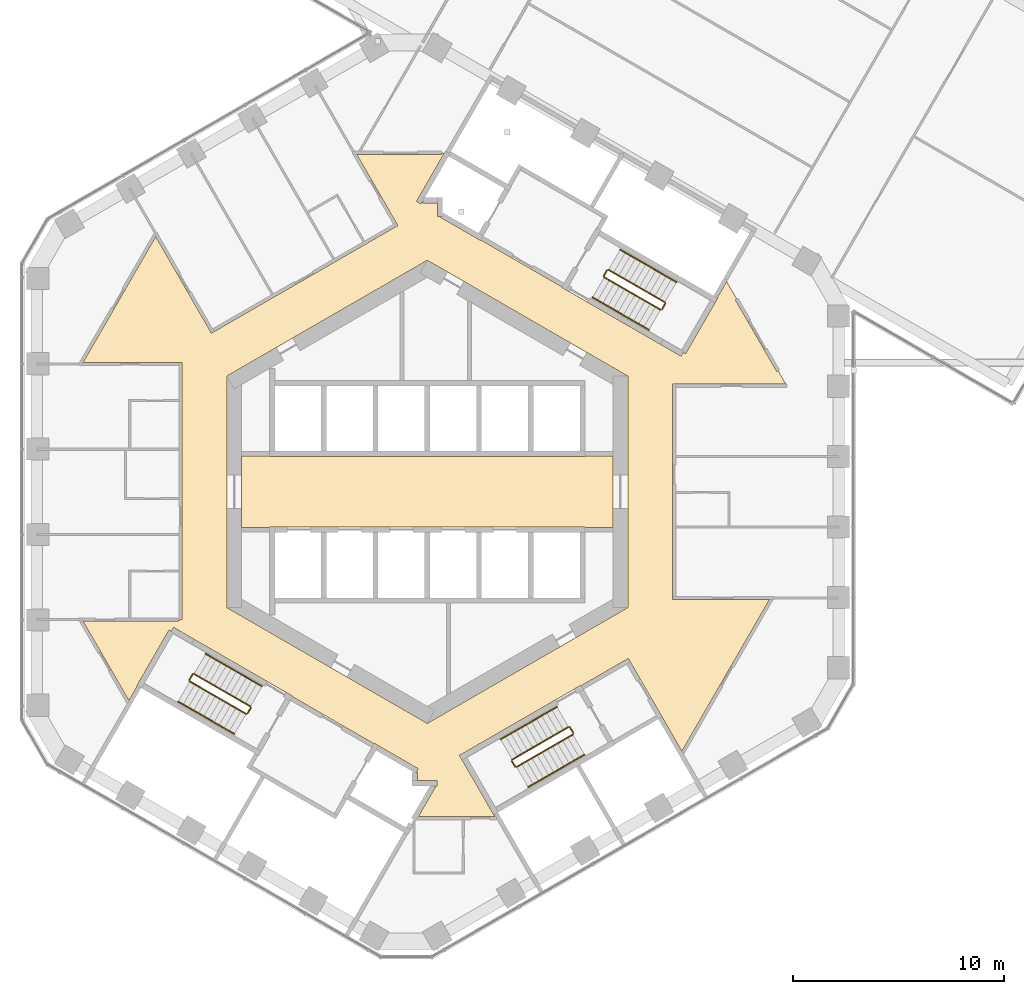
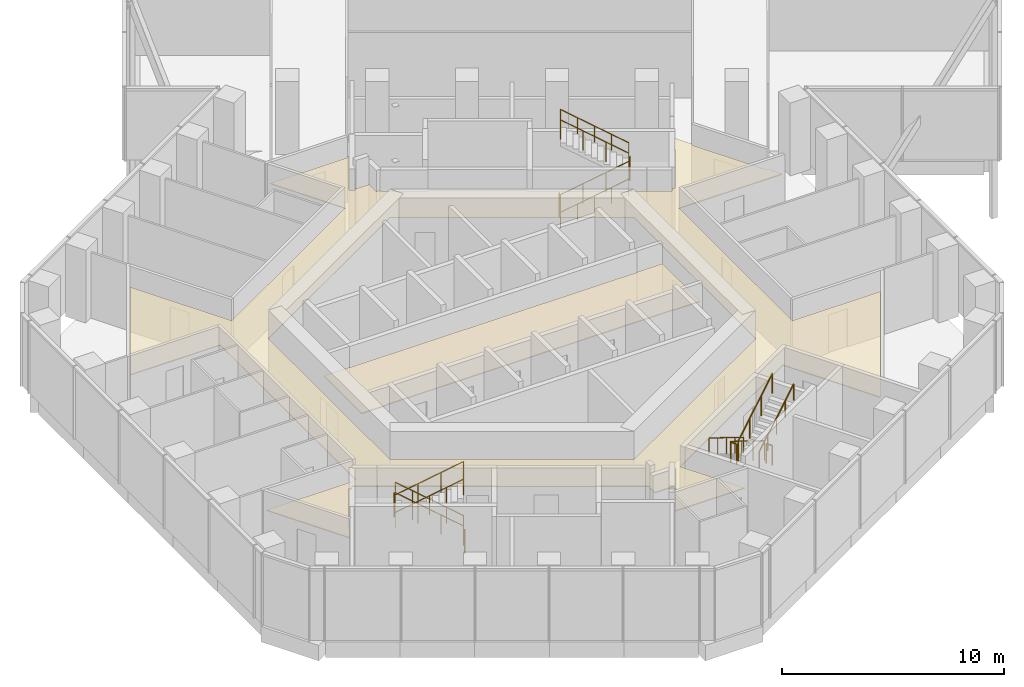
# One storey, part 24 of 25: 24 railings, 2 coverings.
"""IFC4 building model written with IfcOpenShell, lengths in metres."""

from ifc_helpers import new_model, si_unit, direction, frame, origin, origin_2d, place, context, subcontext, project, spatial, polyline, circle, outline, extrude, material, layer, layer_set, type_object, element, save


model = new_model("IFC4")

# Units and contexts
model_context = context("Model", 3, precision=1e-05, world=origin(), true_north=direction((0.0, 1.0)))
body_context = subcontext(model_context, "Body", "Model", "MODEL_VIEW")
ifc_project = project(units=[si_unit("LENGTHUNIT", "METRE"), si_unit("AREAUNIT", "SQUARE_METRE"), si_unit("VOLUMEUNIT", "CUBIC_METRE"), si_unit("PLANEANGLEUNIT", "RADIAN"), si_unit("MASSUNIT", "GRAM", prefix="KILO")], contexts=[model_context])

# Site, building, storey
site_placement = place(None, origin())
site = spatial("IfcSite", under=ifc_project, at=site_placement, CompositionType="ELEMENT")
building_placement = place(site_placement, origin())
building = spatial("IfcBuilding", under=site, at=building_placement, Name="Ayvan Gate Tower", CompositionType="ELEMENT")
storey_placement = place(building_placement, frame((0.0, 0.0, 139.89990234375)))
storey = spatial("IfcBuildingStorey", under=building, at=storey_placement, Name="L37", CompositionType="ELEMENT", Elevation=139.89990234375)

# Coverings
ifc_material_1 = material(Name="Plasterboard suspended ceiling")
ifc_layer = layer(ifc_material_1, 0.050048828125)
ifc_layer_set = layer_set([ifc_layer], Name="Plasterboard suspended ceiling")
covering_type = type_object("IfcCoveringType", Name="CT-SUSP-50", PredefinedType="CEILING", material=ifc_layer_set)
covering_1_placement = place(storey_placement, frame((0.0, 0.0, 2.400146484375)))
element("IfcCovering", 1, at=covering_1_placement, inside=storey, type_object=covering_type, Name="Ceiling Lift Lobby L37", PredefinedType="CEILING", context=body_context, shape_type="SweptSolid", body=[
    extrude(outline(polyline([(7.47509765625, -1.675048828125), (-7.47509765625, -1.675048828125), (-7.47509765625, -1.699951171875), (-8.800048828125, -1.699951171875), (-8.800048828125, 1.699951171875), (-7.47509765625, 1.699951171875), (-7.47509765625, 1.675048828125), (7.47509765625, 1.675048828125), (7.47509765625, 1.699951171875), (8.800048828125, 1.699951171875), (8.800048828125, -1.699951171875), (7.47509765625, -1.699951171875), (7.47509765625, -1.675048828125)])), origin(), (0.0, 0.0, 1.0), 0.050048828125),
])
covering_2_placement = place(storey_placement, frame((0.0, 0.0, 2.400146484375)))
element("IfcCovering", 2, at=covering_2_placement, inside=storey, type_object=covering_type, Name="Ceiling Ring Corridor L37", PredefinedType="CEILING", context=body_context, shape_type="SweptSolid", body=[
    extrude(outline(polyline([(-14.138427734375, -9.888427734375), (-16.308837890625, -6.129150390625), (-11.8525390625, -6.129150390625), (-11.870849609375, -6.160888671875), (-11.816162109375, -6.129150390625), (-11.80908203125, -6.129150390625), (-11.80908203125, -6.125244140625), (-11.686279296875, -6.05419921875), (-11.625, -6.05419921875), (-11.625, 6.129150390625), (-16.308837890625, 6.129150390625), (-12.86767578125, 12.089599609375), (-10.228271484375, 7.51806640625), (-10.098388671875, 7.593017578125), (-1.396728515625, 12.616943359375), (-1.4716796875, 12.746826171875), (-3.34326171875, 15.988525390625), (0.681640625, 15.988525390625), (0.681640625, 16.0634765625), (0.816162109375, 16.0634765625), (-0.511474609375, 13.76416015625), (-0.294921875, 13.63916015625), (-0.215576171875, 13.776611328125), (-0.215576171875, 13.68505859375), (0.47509765625, 13.68505859375), (0.47509765625, 13.03857421875), (0.672119140625, 13.03857421875), (0.645751953125, 12.992919921875), (2.518310546875, 11.91162109375), (2.53076171875, 11.933349609375), (6.384521484375, 9.70849609375), (6.3720703125, 9.686767578125), (6.588623046875, 9.561767578125), (11.03759765625, 6.9931640625), (12.02294921875, 6.42431640625), (12.130126953125, 6.60986328125), (12.23828125, 6.54736328125), (13.631103515625, 8.959716796875), (13.756103515625, 9.176513671875), (13.734619140625, 9.188720703125), (14.181884765625, 9.96337890625), (14.656982421875, 9.14013671875), (14.592041015625, 9.1025390625), (16.55517578125, 5.702392578125), (16.6201171875, 5.739990234375), (16.990234375, 5.098876953125), (11.625, 5.098876953125), (11.625, -5.098876953125), (16.2109375, -5.098876953125), (12.06005859375, -12.28857421875), (11.123779296875, -10.667236328125), (9.623779296875, -8.069091796875), (9.52392578125, -7.89599609375), (7.2939453125, -9.183349609375), (7.281494140625, -9.16162109375), (1.522216796875, -12.48681640625), (1.647216796875, -12.703369140625), (3.147216796875, -15.30126953125), (3.1689453125, -15.288818359375), (3.2265625, -15.388427734375), (-0.426513671875, -15.388427734375), (0.386474609375, -13.980712890625), (0.30712890625, -13.93505859375), (0.465576171875, -13.93505859375), (0.465576171875, -13.68505859375), (-0.47509765625, -13.68505859375), (-0.47509765625, -13.28857421875), (-0.52783203125, -13.28857421875), (-0.42919921875, -13.117919921875), (-2.284423828125, -12.046630859375), (-2.518310546875, -11.91162109375), (-2.53076171875, -11.933349609375), (-6.384521484375, -9.70849609375), (-6.3720703125, -9.686767578125), (-11.03759765625, -6.9931640625), (-12.02294921875, -6.42431640625), (-12.130126953125, -6.60986328125), (-12.23828125, -6.54736328125), (-13.756103515625, -9.17626953125), (-13.734619140625, -9.188720703125), (-14.138427734375, -9.888427734375)]), holes=[polyline([(-8.771728515625, -5.9052734375), (0.0, -10.9697265625), (8.38720703125, -6.127197265625), (8.771728515625, -5.9052734375), (9.5, -5.48486328125), (9.5, 5.48486328125), (8.771728515625, 5.9052734375), (0.0, 10.9697265625), (-8.771728515625, 5.9052734375), (-9.5, 5.48486328125), (-9.5, -5.48486328125), (-8.771728515625, -5.9052734375)])]), origin(), (0.0, 0.0, 1.0), 0.050048828125),
])

# Railings
ifc_material_2 = material(Name="Stainless steel balustrade", Category="steel")
railing_type_1 = type_object("IfcRailingType", Name="RL-GUARD-1100", PredefinedType="GUARDRAIL", material=ifc_material_2)
railing_1_placement = place(storey_placement, frame((8.381103515625, 10.16650390625, 0.166748046875)))
element("IfcRailing", 3, at=railing_1_placement, inside=storey, type_object=railing_type_1, Name="L37 STS1 stair guard 1", PredefinedType="GUARDRAIL", context=body_context, shape_type="SweptSolid", body=[
    extrude(circle(Radius=0.02392578125, at=origin_2d()), frame((0.0, 0.0, 1.076171875), z_axis=(0.744189839504, -0.429649414936, 0.511451721109), x_axis=(0.499992328818, 0.866029832698, 0.0)), (0.0, 0.0, 1.0), 3.58447265625),
    extrude(circle(Radius=0.02099609375, at=origin_2d()), origin(), (0.0, 0.0, 1.0), 1.052001953125),
    extrude(circle(Radius=0.02099609375, at=origin_2d()), frame((0.88916015625, -0.513427734375, 0.611083984375)), (0.0, 0.0, 1.0), 1.052001953125),
    extrude(circle(Radius=0.02099609375, at=origin_2d()), frame((1.7783203125, -1.026611328125, 1.22216796875)), (0.0, 0.0, 1.0), 1.052001953125),
    extrude(circle(Radius=0.02099609375, at=origin_2d()), frame((2.66748046875, -1.5400390625, 1.833251953125)), (0.0, 0.0, 1.0), 1.052001953125),
])
railing_2_placement = place(storey_placement, frame((11.11669921875, 8.644775390625, 2.0)))
element("IfcRailing", 4, at=railing_2_placement, inside=storey, type_object=railing_type_1, Name="L37 STS1 stair guard 2", PredefinedType="GUARDRAIL", context=body_context, shape_type="SweptSolid", body=[
    extrude(circle(Radius=0.02392578125, at=origin_2d()), frame((0.0, 0.0, 1.076171875), z_axis=(0.499949632511, 0.866054481515, 0.0), x_axis=(-0.866054481515, 0.499949632511, 0.0)), (0.0, 0.0, 1.0), 0.31005859375),
    extrude(circle(Radius=0.02099609375, at=origin_2d()), origin(), (0.0, 0.0, 1.0), 1.052001953125),
    extrude(circle(Radius=0.02099609375, at=origin_2d()), frame((0.155029296875, 0.2685546875, 0.0)), (0.0, 0.0, 1.0), 1.052001953125),
])
railing_3_placement = place(storey_placement, frame((11.25341796875, 8.981689453125, 2.166748046875)))
element("IfcRailing", 5, at=railing_3_placement, inside=storey, type_object=railing_type_1, Name="L37 STS1 stair guard 3", PredefinedType="GUARDRAIL", context=body_context, shape_type="SweptSolid", body=[
    extrude(circle(Radius=0.02392578125, at=origin_2d()), frame((0.0, 0.0, 1.076171875), z_axis=(-0.74418122563, 0.429615651263, 0.511492615401), x_axis=(-0.499967199496, -0.866044340336, 0.0)), (0.0, 0.0, 1.0), 3.584228515625),
    extrude(circle(Radius=0.02099609375, at=origin_2d()), origin(), (0.0, 0.0, 1.0), 1.052001953125),
    extrude(circle(Radius=0.02099609375, at=origin_2d()), frame((-0.88916015625, 0.51318359375, 0.611083984375)), (0.0, 0.0, 1.0), 1.052001953125),
    extrude(circle(Radius=0.02099609375, at=origin_2d()), frame((-1.778076171875, 1.026611328125, 1.22216796875)), (0.0, 0.0, 1.0), 1.052001953125),
    extrude(circle(Radius=0.02099609375, at=origin_2d()), frame((-2.667236328125, 1.539794921875, 1.833251953125)), (0.0, 0.0, 1.0), 1.052001953125),
])
railing_4_placement = place(storey_placement, frame((8.36279296875, 10.23486328125, 0.0)))
element("IfcRailing", 6, at=railing_4_placement, inside=storey, type_object=railing_type_1, Name="L37 STS1 stair guard 4", PredefinedType="GUARDRAIL", context=body_context, shape_type="SweptSolid", body=[
    extrude(circle(Radius=0.02392578125, at=origin_2d()), frame((0.0, 0.0, 1.076171875), z_axis=(0.500290723946, 0.86585748916, 0.0), x_axis=(-0.86585748916, 0.500290723946, 0.0)), (0.0, 0.0, 1.0), 0.309814453125),
    extrude(circle(Radius=0.02099609375, at=origin_2d()), origin(), (0.0, 0.0, 1.0), 1.052001953125),
    extrude(circle(Radius=0.02099609375, at=origin_2d()), frame((0.155029296875, 0.268310546875, 0.0)), (0.0, 0.0, 1.0), 1.052001953125),
])
railing_5_placement = place(storey_placement, frame((-8.381103515625, -10.16650390625, 0.166748046875)))
element("IfcRailing", 7, at=railing_5_placement, inside=storey, type_object=railing_type_1, Name="L37 STS2 stair guard 1", PredefinedType="GUARDRAIL", context=body_context, shape_type="SweptSolid", body=[
    extrude(circle(Radius=0.02392578125, at=origin_2d()), frame((0.0, 0.0, 1.076171875), z_axis=(-0.744189839504, 0.429649414936, 0.511451721109), x_axis=(-0.499992328818, -0.866029832698, 0.0)), (0.0, 0.0, 1.0), 3.58447265625),
    extrude(circle(Radius=0.02099609375, at=origin_2d()), origin(), (0.0, 0.0, 1.0), 1.052001953125),
    extrude(circle(Radius=0.02099609375, at=origin_2d()), frame((-0.88916015625, 0.513427734375, 0.611083984375)), (0.0, 0.0, 1.0), 1.052001953125),
    extrude(circle(Radius=0.02099609375, at=origin_2d()), frame((-1.7783203125, 1.026611328125, 1.22216796875)), (0.0, 0.0, 1.0), 1.052001953125),
    extrude(circle(Radius=0.02099609375, at=origin_2d()), frame((-2.66748046875, 1.5400390625, 1.833251953125)), (0.0, 0.0, 1.0), 1.052001953125),
])
railing_6_placement = place(storey_placement, frame((-11.11669921875, -8.644775390625, 2.0)))
element("IfcRailing", 8, at=railing_6_placement, inside=storey, type_object=railing_type_1, Name="L37 STS2 stair guard 2", PredefinedType="GUARDRAIL", context=body_context, shape_type="SweptSolid", body=[
    extrude(circle(Radius=0.02392578125, at=origin_2d()), frame((0.0, 0.0, 1.076171875), z_axis=(-0.499949632511, -0.866054481515, 0.0), x_axis=(0.866054481515, -0.499949632511, 0.0)), (0.0, 0.0, 1.0), 0.31005859375),
    extrude(circle(Radius=0.02099609375, at=origin_2d()), origin(), (0.0, 0.0, 1.0), 1.052001953125),
    extrude(circle(Radius=0.02099609375, at=origin_2d()), frame((-0.155029296875, -0.2685546875, 0.0)), (0.0, 0.0, 1.0), 1.052001953125),
])
railing_7_placement = place(storey_placement, frame((-11.25341796875, -8.981689453125, 2.166748046875)))
element("IfcRailing", 9, at=railing_7_placement, inside=storey, type_object=railing_type_1, Name="L37 STS2 stair guard 3", PredefinedType="GUARDRAIL", context=body_context, shape_type="SweptSolid", body=[
    extrude(circle(Radius=0.02392578125, at=origin_2d()), frame((0.0, 0.0, 1.076171875), z_axis=(0.74418122563, -0.429615651263, 0.511492615401), x_axis=(0.499967199496, 0.866044340336, 0.0)), (0.0, 0.0, 1.0), 3.584228515625),
    extrude(circle(Radius=0.02099609375, at=origin_2d()), origin(), (0.0, 0.0, 1.0), 1.052001953125),
    extrude(circle(Radius=0.02099609375, at=origin_2d()), frame((0.88916015625, -0.51318359375, 0.611083984375)), (0.0, 0.0, 1.0), 1.052001953125),
    extrude(circle(Radius=0.02099609375, at=origin_2d()), frame((1.778076171875, -1.026611328125, 1.22216796875)), (0.0, 0.0, 1.0), 1.052001953125),
    extrude(circle(Radius=0.02099609375, at=origin_2d()), frame((2.667236328125, -1.539794921875, 1.833251953125)), (0.0, 0.0, 1.0), 1.052001953125),
])
railing_8_placement = place(storey_placement, frame((-8.36279296875, -10.23486328125, 0.0)))
element("IfcRailing", 10, at=railing_8_placement, inside=storey, type_object=railing_type_1, Name="L37 STS2 stair guard 4", PredefinedType="GUARDRAIL", context=body_context, shape_type="SweptSolid", body=[
    extrude(circle(Radius=0.02392578125, at=origin_2d()), frame((0.0, 0.0, 1.076171875), z_axis=(-0.500290723946, -0.86585748916, 0.0), x_axis=(0.86585748916, -0.500290723946, 0.0)), (0.0, 0.0, 1.0), 0.309814453125),
    extrude(circle(Radius=0.02099609375, at=origin_2d()), origin(), (0.0, 0.0, 1.0), 1.052001953125),
    extrude(circle(Radius=0.02099609375, at=origin_2d()), frame((-0.155029296875, -0.268310546875, 0.0)), (0.0, 0.0, 1.0), 1.052001953125),
])
railing_9_placement = place(storey_placement, frame((6.6923828125, -11.1416015625, 0.166748046875)))
element("IfcRailing", 11, at=railing_9_placement, inside=storey, type_object=railing_type_1, Name="L37 STS3 stair guard 1", PredefinedType="GUARDRAIL", context=body_context, shape_type="SweptSolid", body=[
    extrude(circle(Radius=0.02392578125, at=origin_2d()), frame((0.0, 0.0, 1.076171875), z_axis=(-0.744211616859, -0.429593874019, 0.511466687808), x_axis=(0.499932877268, -0.866064153644, 0.0)), (0.0, 0.0, 1.0), 3.584228515625),
    extrude(circle(Radius=0.02099609375, at=origin_2d()), origin(), (0.0, 0.0, 1.0), 1.052001953125),
    extrude(circle(Radius=0.02099609375, at=origin_2d()), frame((-0.88916015625, -0.51318359375, 0.611083984375)), (0.0, 0.0, 1.0), 1.052001953125),
    extrude(circle(Radius=0.02099609375, at=origin_2d()), frame((-1.7783203125, -1.026611328125, 1.22216796875)), (0.0, 0.0, 1.0), 1.052001953125),
    extrude(circle(Radius=0.02099609375, at=origin_2d()), frame((-2.66748046875, -1.539794921875, 1.833251953125)), (0.0, 0.0, 1.0), 1.052001953125),
])
railing_10_placement = place(storey_placement, frame((4.006591796875, -12.749755859375, 2.0)))
element("IfcRailing", 12, at=railing_10_placement, inside=storey, type_object=railing_type_1, Name="L37 STS3 stair guard 2", PredefinedType="GUARDRAIL", context=body_context, shape_type="SweptSolid", body=[
    extrude(circle(Radius=0.02392578125, at=origin_2d()), frame((0.0, 0.0, 1.076171875), z_axis=(0.499949632511, -0.866054481515, 0.0), x_axis=(0.866054481515, 0.499949632511, 0.0)), (0.0, 0.0, 1.0), 0.31005859375),
    extrude(circle(Radius=0.02099609375, at=origin_2d()), origin(), (0.0, 0.0, 1.0), 1.052001953125),
    extrude(circle(Radius=0.02099609375, at=origin_2d()), frame((0.155029296875, -0.2685546875, 0.0)), (0.0, 0.0, 1.0), 1.052001953125),
])
railing_11_placement = place(storey_placement, frame((4.22998046875, -13.03662109375, 2.166748046875)))
element("IfcRailing", 13, at=railing_11_placement, inside=storey, type_object=railing_type_1, Name="L37 STS3 stair guard 3", PredefinedType="GUARDRAIL", context=body_context, shape_type="SweptSolid", body=[
    extrude(circle(Radius=0.02392578125, at=origin_2d()), frame((0.0, 0.0, 1.076171875), z_axis=(0.744189839504, 0.429649414936, 0.511451721109), x_axis=(-0.499992328818, 0.866029832698, 0.0)), (0.0, 0.0, 1.0), 3.58447265625),
    extrude(circle(Radius=0.02099609375, at=origin_2d()), origin(), (0.0, 0.0, 1.0), 1.052001953125),
    extrude(circle(Radius=0.02099609375, at=origin_2d()), frame((0.88916015625, 0.513427734375, 0.611083984375)), (0.0, 0.0, 1.0), 1.052001953125),
    extrude(circle(Radius=0.02099609375, at=origin_2d()), frame((1.7783203125, 1.026611328125, 1.22216796875)), (0.0, 0.0, 1.0), 1.052001953125),
    extrude(circle(Radius=0.02099609375, at=origin_2d()), frame((2.66748046875, 1.5400390625, 1.833251953125)), (0.0, 0.0, 1.0), 1.052001953125),
])
railing_12_placement = place(storey_placement, frame((6.7607421875, -11.159912109375, 0.0)))
element("IfcRailing", 14, at=railing_12_placement, inside=storey, type_object=railing_type_1, Name="L37 STS3 stair guard 4", PredefinedType="GUARDRAIL", context=body_context, shape_type="SweptSolid", body=[
    extrude(circle(Radius=0.02392578125, at=origin_2d()), frame((0.0, 0.0, 1.076171875), z_axis=(0.500290723946, -0.86585748916, 0.0), x_axis=(0.86585748916, 0.500290723946, 0.0)), (0.0, 0.0, 1.0), 0.309814453125),
    extrude(circle(Radius=0.02099609375, at=origin_2d()), origin(), (0.0, 0.0, 1.0), 1.052001953125),
    extrude(circle(Radius=0.02099609375, at=origin_2d()), frame((0.155029296875, -0.268310546875, 0.0)), (0.0, 0.0, 1.0), 1.052001953125),
])
railing_type_2 = type_object("IfcRailingType", Name="RL-HANDRAIL-900", PredefinedType="HANDRAIL", material=ifc_material_2)
railing_13_placement = place(storey_placement, frame((7.8310546875, 9.2138671875, 0.166748046875)))
element("IfcRailing", 15, at=railing_13_placement, inside=storey, type_object=railing_type_2, Name="L37 STS1 stair handrail 1", PredefinedType="HANDRAIL", context=body_context, shape_type="SweptSolid", body=[
    extrude(circle(Radius=0.02392578125, at=origin_2d()), frame((0.0, 0.0, 0.8759765625), z_axis=(0.7441639146, -0.429634447492, 0.511502013422), x_axis=(0.499992328818, 0.866029832698, 0.0)), (0.0, 0.0, 1.0), 1.792236328125),
    extrude(circle(Radius=0.02099609375, at=origin_2d()), origin(), (0.0, 0.0, 1.0), 0.851806640625),
    extrude(circle(Radius=0.02099609375, at=origin_2d()), frame((0.6669921875, -0.385009765625, 0.45849609375)), (0.0, 0.0, 1.0), 0.851806640625),
    extrude(circle(Radius=0.02099609375, at=origin_2d()), frame((1.333740234375, -0.77001953125, 0.916748046875)), (0.0, 0.0, 1.0), 0.851806640625),
])
railing_14_placement = place(storey_placement, frame((9.164794921875, 8.44384765625, 1.08349609375)))
element("IfcRailing", 16, at=railing_14_placement, inside=storey, type_object=railing_type_2, Name="L37 STS1 stair handrail 2", PredefinedType="HANDRAIL", context=body_context, shape_type="SweptSolid", body=[
    extrude(circle(Radius=0.02392578125, at=origin_2d()), frame((0.0, 0.0, 0.8759765625), z_axis=(0.744215763664, -0.42966438195, 0.511401423539), x_axis=(0.499992328818, 0.866029832698, 0.0)), (0.0, 0.0, 1.0), 1.792236328125),
    extrude(circle(Radius=0.02099609375, at=origin_2d()), origin(), (0.0, 0.0, 1.0), 0.851806640625),
    extrude(circle(Radius=0.02099609375, at=origin_2d()), frame((0.6669921875, -0.385009765625, 0.458251953125)), (0.0, 0.0, 1.0), 0.851806640625),
    extrude(circle(Radius=0.02099609375, at=origin_2d()), frame((1.333740234375, -0.77001953125, 0.91650390625)), (0.0, 0.0, 1.0), 0.851806640625),
])
railing_15_placement = place(storey_placement, frame((11.803466796875, 9.93408203125, 2.166748046875)))
element("IfcRailing", 17, at=railing_15_placement, inside=storey, type_object=railing_type_2, Name="L37 STS1 stair handrail 3", PredefinedType="HANDRAIL", context=body_context, shape_type="SweptSolid", body=[
    extrude(circle(Radius=0.02392578125, at=origin_2d()), frame((0.0, 0.0, 0.8759765625), z_axis=(-0.7441639146, 0.429634447492, 0.511502013422), x_axis=(-0.499992328818, -0.866029832698, 0.0)), (0.0, 0.0, 1.0), 1.792236328125),
    extrude(circle(Radius=0.02099609375, at=origin_2d()), origin(), (0.0, 0.0, 1.0), 0.851806640625),
    extrude(circle(Radius=0.02099609375, at=origin_2d()), frame((-0.6669921875, 0.385009765625, 0.45849609375)), (0.0, 0.0, 1.0), 0.851806640625),
    extrude(circle(Radius=0.02099609375, at=origin_2d()), frame((-1.333740234375, 0.77001953125, 0.916748046875)), (0.0, 0.0, 1.0), 0.851806640625),
])
railing_16_placement = place(storey_placement, frame((10.4697265625, 10.7041015625, 3.08349609375)))
element("IfcRailing", 18, at=railing_16_placement, inside=storey, type_object=railing_type_2, Name="L37 STS1 stair handrail 4", PredefinedType="HANDRAIL", context=body_context, shape_type="SweptSolid", body=[
    extrude(circle(Radius=0.02392578125, at=origin_2d()), frame((0.0, 0.0, 0.8759765625), z_axis=(-0.744215763664, 0.42966438195, 0.511401423539), x_axis=(-0.499992328818, -0.866029832698, 0.0)), (0.0, 0.0, 1.0), 1.792236328125),
    extrude(circle(Radius=0.02099609375, at=origin_2d()), origin(), (0.0, 0.0, 1.0), 0.851806640625),
    extrude(circle(Radius=0.02099609375, at=origin_2d()), frame((-0.6669921875, 0.385009765625, 0.458251953125)), (0.0, 0.0, 1.0), 0.851806640625),
    extrude(circle(Radius=0.02099609375, at=origin_2d()), frame((-1.333740234375, 0.77001953125, 0.91650390625)), (0.0, 0.0, 1.0), 0.851806640625),
])
railing_17_placement = place(storey_placement, frame((-7.8310546875, -9.2138671875, 0.166748046875)))
element("IfcRailing", 19, at=railing_17_placement, inside=storey, type_object=railing_type_2, Name="L37 STS2 stair handrail 1", PredefinedType="HANDRAIL", context=body_context, shape_type="SweptSolid", body=[
    extrude(circle(Radius=0.02392578125, at=origin_2d()), frame((0.0, 0.0, 0.8759765625), z_axis=(-0.7441639146, 0.429634447492, 0.511502013422), x_axis=(-0.499992328818, -0.866029832698, 0.0)), (0.0, 0.0, 1.0), 1.792236328125),
    extrude(circle(Radius=0.02099609375, at=origin_2d()), origin(), (0.0, 0.0, 1.0), 0.851806640625),
    extrude(circle(Radius=0.02099609375, at=origin_2d()), frame((-0.6669921875, 0.385009765625, 0.45849609375)), (0.0, 0.0, 1.0), 0.851806640625),
    extrude(circle(Radius=0.02099609375, at=origin_2d()), frame((-1.333740234375, 0.77001953125, 0.916748046875)), (0.0, 0.0, 1.0), 0.851806640625),
])
railing_18_placement = place(storey_placement, frame((-9.164794921875, -8.44384765625, 1.08349609375)))
element("IfcRailing", 20, at=railing_18_placement, inside=storey, type_object=railing_type_2, Name="L37 STS2 stair handrail 2", PredefinedType="HANDRAIL", context=body_context, shape_type="SweptSolid", body=[
    extrude(circle(Radius=0.02392578125, at=origin_2d()), frame((0.0, 0.0, 0.8759765625), z_axis=(-0.744215763664, 0.42966438195, 0.511401423539), x_axis=(-0.499992328818, -0.866029832698, 0.0)), (0.0, 0.0, 1.0), 1.792236328125),
    extrude(circle(Radius=0.02099609375, at=origin_2d()), origin(), (0.0, 0.0, 1.0), 0.851806640625),
    extrude(circle(Radius=0.02099609375, at=origin_2d()), frame((-0.6669921875, 0.385009765625, 0.458251953125)), (0.0, 0.0, 1.0), 0.851806640625),
    extrude(circle(Radius=0.02099609375, at=origin_2d()), frame((-1.333740234375, 0.77001953125, 0.91650390625)), (0.0, 0.0, 1.0), 0.851806640625),
])
railing_19_placement = place(storey_placement, frame((-11.803466796875, -9.93408203125, 2.166748046875)))
element("IfcRailing", 21, at=railing_19_placement, inside=storey, type_object=railing_type_2, Name="L37 STS2 stair handrail 3", PredefinedType="HANDRAIL", context=body_context, shape_type="SweptSolid", body=[
    extrude(circle(Radius=0.02392578125, at=origin_2d()), frame((0.0, 0.0, 0.8759765625), z_axis=(0.7441639146, -0.429634447492, 0.511502013422), x_axis=(0.499992328818, 0.866029832698, 0.0)), (0.0, 0.0, 1.0), 1.792236328125),
    extrude(circle(Radius=0.02099609375, at=origin_2d()), origin(), (0.0, 0.0, 1.0), 0.851806640625),
    extrude(circle(Radius=0.02099609375, at=origin_2d()), frame((0.6669921875, -0.385009765625, 0.45849609375)), (0.0, 0.0, 1.0), 0.851806640625),
    extrude(circle(Radius=0.02099609375, at=origin_2d()), frame((1.333740234375, -0.77001953125, 0.916748046875)), (0.0, 0.0, 1.0), 0.851806640625),
])
railing_20_placement = place(storey_placement, frame((-10.4697265625, -10.7041015625, 3.08349609375)))
element("IfcRailing", 22, at=railing_20_placement, inside=storey, type_object=railing_type_2, Name="L37 STS2 stair handrail 4", PredefinedType="HANDRAIL", context=body_context, shape_type="SweptSolid", body=[
    extrude(circle(Radius=0.02392578125, at=origin_2d()), frame((0.0, 0.0, 0.8759765625), z_axis=(0.744215763664, -0.42966438195, 0.511401423539), x_axis=(0.499992328818, 0.866029832698, 0.0)), (0.0, 0.0, 1.0), 1.792236328125),
    extrude(circle(Radius=0.02099609375, at=origin_2d()), origin(), (0.0, 0.0, 1.0), 0.851806640625),
    extrude(circle(Radius=0.02099609375, at=origin_2d()), frame((0.6669921875, -0.385009765625, 0.458251953125)), (0.0, 0.0, 1.0), 0.851806640625),
    extrude(circle(Radius=0.02099609375, at=origin_2d()), frame((1.333740234375, -0.77001953125, 0.91650390625)), (0.0, 0.0, 1.0), 0.851806640625),
])
railing_21_placement = place(storey_placement, frame((6.142333984375, -10.18896484375, 0.166748046875)))
element("IfcRailing", 23, at=railing_21_placement, inside=storey, type_object=railing_type_2, Name="L37 STS3 stair handrail 1", PredefinedType="HANDRAIL", context=body_context, shape_type="SweptSolid", body=[
    extrude(circle(Radius=0.02392578125, at=origin_2d()), frame((0.0, 0.0, 0.8759765625), z_axis=(-0.7441639146, -0.429634447492, 0.511502013422), x_axis=(0.499992328818, -0.866029832698, 0.0)), (0.0, 0.0, 1.0), 1.792236328125),
    extrude(circle(Radius=0.02099609375, at=origin_2d()), origin(), (0.0, 0.0, 1.0), 0.851806640625),
    extrude(circle(Radius=0.02099609375, at=origin_2d()), frame((-0.6669921875, -0.385009765625, 0.45849609375)), (0.0, 0.0, 1.0), 0.851806640625),
    extrude(circle(Radius=0.02099609375, at=origin_2d()), frame((-1.333740234375, -0.77001953125, 0.916748046875)), (0.0, 0.0, 1.0), 0.851806640625),
])
railing_22_placement = place(storey_placement, frame((4.80859375, -10.958984375, 1.08349609375)))
element("IfcRailing", 24, at=railing_22_placement, inside=storey, type_object=railing_type_2, Name="L37 STS3 stair handrail 2", PredefinedType="HANDRAIL", context=body_context, shape_type="SweptSolid", body=[
    extrude(circle(Radius=0.02392578125, at=origin_2d()), frame((0.0, 0.0, 0.8759765625), z_axis=(-0.744198540083, -0.429596850399, 0.511483214843), x_axis=(0.499942064311, -0.866058850386, 0.0)), (0.0, 0.0, 1.0), 1.791748046875),
    extrude(circle(Radius=0.02099609375, at=origin_2d()), origin(), (0.0, 0.0, 1.0), 0.851806640625),
    extrude(circle(Radius=0.02099609375, at=origin_2d()), frame((-0.666748046875, -0.384765625, 0.458251953125)), (0.0, 0.0, 1.0), 0.851806640625),
    extrude(circle(Radius=0.02099609375, at=origin_2d()), frame((-1.33349609375, -0.769775390625, 0.91650390625)), (0.0, 0.0, 1.0), 0.851806640625),
])
railing_23_placement = place(storey_placement, frame((4.780029296875, -13.9892578125, 2.166748046875)))
element("IfcRailing", 25, at=railing_23_placement, inside=storey, type_object=railing_type_2, Name="L37 STS3 stair handrail 3", PredefinedType="HANDRAIL", context=body_context, shape_type="SweptSolid", body=[
    extrude(circle(Radius=0.02392578125, at=origin_2d()), frame((0.0, 0.0, 0.8759765625), z_axis=(0.7441639146, 0.429634447492, 0.511502013422), x_axis=(-0.499992328818, 0.866029832698, 0.0)), (0.0, 0.0, 1.0), 1.792236328125),
    extrude(circle(Radius=0.02099609375, at=origin_2d()), origin(), (0.0, 0.0, 1.0), 0.851806640625),
    extrude(circle(Radius=0.02099609375, at=origin_2d()), frame((0.6669921875, 0.385009765625, 0.45849609375)), (0.0, 0.0, 1.0), 0.851806640625),
    extrude(circle(Radius=0.02099609375, at=origin_2d()), frame((1.333740234375, 0.77001953125, 0.916748046875)), (0.0, 0.0, 1.0), 0.851806640625),
])
railing_24_placement = place(storey_placement, frame((6.11376953125, -13.21923828125, 3.08349609375)))
element("IfcRailing", 26, at=railing_24_placement, inside=storey, type_object=railing_type_2, Name="L37 STS3 stair handrail 4", PredefinedType="HANDRAIL", context=body_context, shape_type="SweptSolid", body=[
    extrude(circle(Radius=0.02392578125, at=origin_2d()), frame((0.0, 0.0, 0.8759765625), z_axis=(0.744154977086, 0.429707945391, 0.511453274255), x_axis=(-0.500060979923, 0.865990194147, 0.0)), (0.0, 0.0, 1.0), 1.7919921875),
    extrude(circle(Radius=0.02099609375, at=origin_2d()), origin(), (0.0, 0.0, 1.0), 0.851806640625),
    extrude(circle(Radius=0.02099609375, at=origin_2d()), frame((0.666748046875, 0.385009765625, 0.458251953125)), (0.0, 0.0, 1.0), 0.851806640625),
    extrude(circle(Radius=0.02099609375, at=origin_2d()), frame((1.33349609375, 0.77001953125, 0.91650390625)), (0.0, 0.0, 1.0), 0.851806640625),
])

save(model, "model.ifc")
